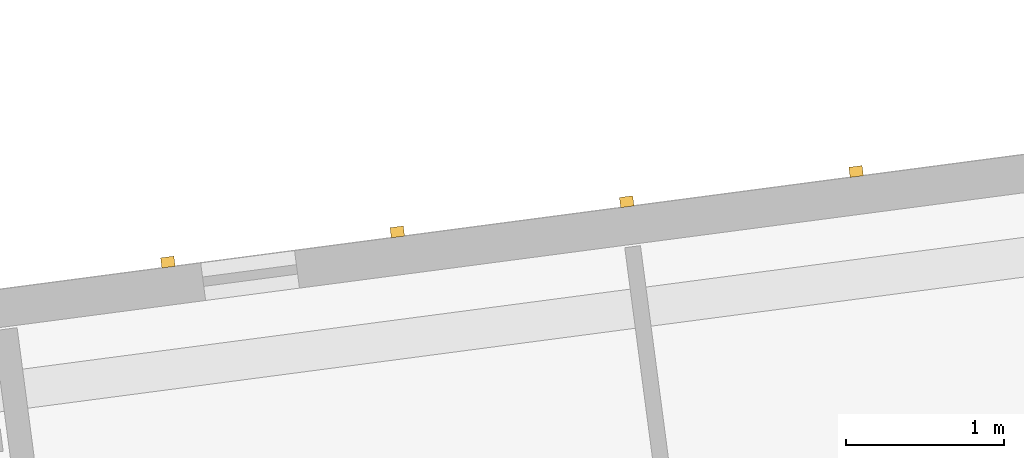
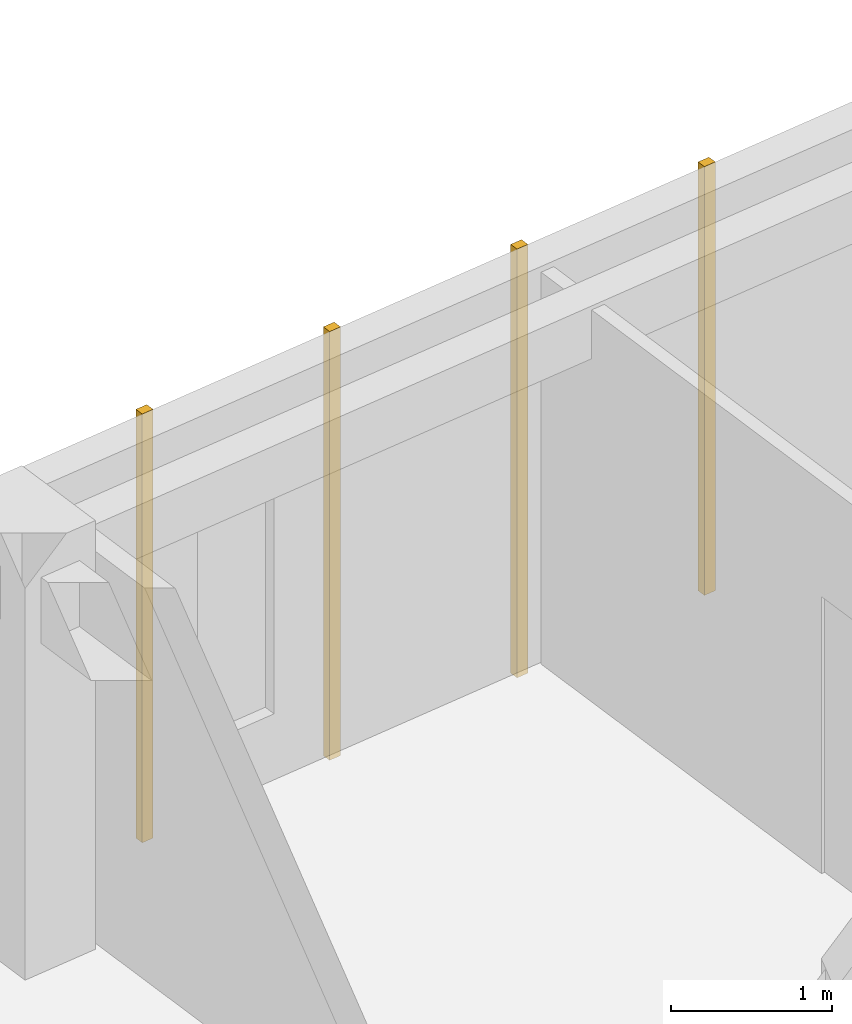
# One storey, part 47 of 66: 4 coverings.
"""IFC4 building model written with IfcOpenShell, lengths in metres."""

import ifcopenshell
import ifcopenshell.guid

model = None  # the IFC model being written
_history = None  # IfcOwnerHistory: only IFC2X3 demands one
_inside = {}  # id of a spatial element -> (the spatial element, [elements in it])
_under = {}  # id of a project, library or spatial element -> (it, [spatial elements below it])
_declared = {}  # id of a project -> (the project, [libraries it declares])
_typed = {}  # id of a type object -> (the type object, [elements of that type])
_made_of = {}  # id of a material, layer set ... -> (it, [elements and type objects made of it])


def new_model(schema):
    """Start an empty IFC model of exactly this schema.

    Asked for "IFC4X3", IfcOpenShell would pick the latest addendum, in which some entities
    have other attributes; the version numbers below select the first issue.
    IFC2X3 requires an IfcOwnerHistory on every rooted entity: one is made here for all.
    """
    global model, _history
    if schema == "IFC4X3":
        model = ifcopenshell.file(schema_version=(4, 3, 0, 0))
    else:
        model = ifcopenshell.file(schema=schema)
    _inside.clear()
    _under.clear()
    _declared.clear()
    _typed.clear()
    _made_of.clear()
    _history = None
    if model.schema == "IFC2X3":
        org = make("IfcOrganization", Name="unknown")
        user = make(
            "IfcPersonAndOrganization",
            ThePerson=make("IfcPerson", FamilyName="unknown"),
            TheOrganization=org,
        )
        app = make(
            "IfcApplication",
            ApplicationDeveloper=org,
            Version="unknown",
            ApplicationFullName="unknown",
            ApplicationIdentifier="unknown",
        )
        _history = make(
            "IfcOwnerHistory",
            OwningUser=user,
            OwningApplication=app,
            ChangeAction="ADDED",
            CreationDate=0,
        )
    return model


def make(cls, **values):
    """One entity of the class cls with the attributes given. An attribute that is None is left unset."""
    return model.create_entity(
        cls, **{name: value for name, value in values.items() if value is not None}
    )


def rooted(cls, **values):
    """An entity with a GlobalId (a new one), such as an element, a storey or a relation."""
    return make(cls, GlobalId=ifcopenshell.guid.new(), OwnerHistory=_history, **values)


def si_unit(unit_type, name, prefix=None):
    """IfcSIUnit, for example si_unit("LENGTHUNIT", "METRE", prefix="MILLI")."""
    return make("IfcSIUnit", UnitType=unit_type, Prefix=prefix, Name=name)


def assignment(units):
    """IfcUnitAssignment: the units of a project."""
    return None if units is None else make("IfcUnitAssignment", Units=units)


def point(xyz):
    """IfcCartesianPoint."""
    return None if xyz is None else make("IfcCartesianPoint", Coordinates=xyz)


def direction(xyz):
    """IfcDirection."""
    return None if xyz is None else make("IfcDirection", DirectionRatios=xyz)


def frame(location, z_axis=None, x_axis=None):
    """IfcAxis2Placement3D, a coordinate frame: its origin and axes. An axis left out is left unset."""
    return make(
        "IfcAxis2Placement3D",
        Location=point(location),
        Axis=direction(z_axis),
        RefDirection=direction(x_axis),
    )


def frame_2d(location, x_axis=None):
    """IfcAxis2Placement2D, a coordinate frame in the plane: its origin and x axis."""
    return make(
        "IfcAxis2Placement2D", Location=point(location), RefDirection=direction(x_axis)
    )


def origin():
    """The frame at (0, 0, 0) with its axes left unset."""
    return frame((0.0, 0.0, 0.0))


def origin_2d():
    """The frame at (0, 0) in the plane with its x axis left unset."""
    return frame_2d((0.0, 0.0))


def place(relative_to, where):
    """IfcLocalPlacement: puts the frame where relative to a parent placement (None: the world)."""
    return make(
        "IfcLocalPlacement", PlacementRelTo=relative_to, RelativePlacement=where
    )


def context(
    kind, dimensions, precision=None, world=None, true_north=None, identifier=None
):
    """IfcGeometricRepresentationContext, for example the 3D "Model" context."""
    return make(
        "IfcGeometricRepresentationContext",
        ContextIdentifier=identifier,
        ContextType=kind,
        CoordinateSpaceDimension=dimensions,
        Precision=precision,
        WorldCoordinateSystem=world,
        TrueNorth=true_north,
    )


def subcontext(parent, identifier, kind, view, scale=None):
    """IfcGeometricRepresentationSubContext, for example "Body" below "Model"."""
    return make(
        "IfcGeometricRepresentationSubContext",
        ContextIdentifier=identifier,
        ContextType=kind,
        ParentContext=parent,
        TargetScale=scale,
        TargetView=view,
    )


def project(units=None, contexts=None):
    """IfcProject with its units and contexts."""
    return rooted(
        "IfcProject",
        Name="project",
        RepresentationContexts=contexts,
        UnitsInContext=assignment(units),
    )


def spatial(cls, under=None, at=None, **own):
    """A site, building, storey or space (cls), placed at a placement, below another one or the project."""
    s = rooted(cls, ObjectPlacement=at, **own)
    if under is not None:
        _under.setdefault(under.id(), (under, []))[1].append(s)
    return s


def profile(cls, at=None, kind="AREA", **sizes):
    """A parametric profile (cls). Its sizes go by their IFC names, for example OverallWidth=200.0."""
    return make(cls, ProfileType=kind, Position=at, **sizes)


def rectangle(**sizes):
    """IfcRectangleProfileDef."""
    return profile("IfcRectangleProfileDef", **sizes)


def extrude(swept, where, along, depth):
    """IfcExtrudedAreaSolid: the profile swept, set in the frame where, extruded along a direction by depth."""
    return make(
        "IfcExtrudedAreaSolid",
        SweptArea=swept,
        Position=where,
        ExtrudedDirection=direction(along),
        Depth=depth,
    )


def shape(context_of_items, identifier, shape_type, items):
    """IfcShapeRepresentation: the items that make up one representation, for example the "Body"."""
    return make(
        "IfcShapeRepresentation",
        ContextOfItems=context_of_items,
        RepresentationIdentifier=identifier,
        RepresentationType=shape_type,
        Items=items,
    )


def material(Name=None, Category=None):
    """IfcMaterial."""
    return make("IfcMaterial", Name=Name, Category=Category)


def layer(
    of_material, thickness, ventilated=None, Name=None, Category=None, Priority=None
):
    """IfcMaterialLayer: one layer of a wall or slab, of a material (None: an air gap)."""
    return make(
        "IfcMaterialLayer",
        Material=of_material,
        LayerThickness=thickness,
        IsVentilated=ventilated,
        Name=Name,
        Category=Category,
        Priority=Priority,
    )


def layer_set(layers, Name=None):
    """IfcMaterialLayerSet."""
    return make("IfcMaterialLayerSet", MaterialLayers=layers, LayerSetName=Name)


def made_of(thing, what):
    """Note that an element or type object is made of a material, layer set ...; save() writes the relation."""
    if what is not None:
        _made_of.setdefault(what.id(), (what, []))[1].append(thing)
    return thing


def type_object(cls, material=None, **own):
    """A type object (cls), such as IfcWallType, which elements share."""
    return made_of(rooted(cls, **own), material)


def element(
    cls,
    number,
    at=None,
    inside=None,
    cuts=None,
    type_object=None,
    material=None,
    context=None,
    identifier="Body",
    shape_type=None,
    held_by="IfcProductDefinitionShape",
    body=None,
    shapes=None,
    **own,
):
    """One element of the class cls, such as IfcWall. Its Tag is "e" and its number.

    at: its placement. inside: the storey or other place that contains it. cuts: it is an
    opening in that element (IfcRelVoidsElement). A single representation is given by context,
    identifier, shape_type and body (its items); several are given by shapes. held_by: the class
    of the entity that holds the representations. save() writes the other relations.
    """
    e = rooted(cls, Tag="e%d" % number, ObjectPlacement=at, **own)
    if body is not None:
        shapes = [shape(context, identifier, shape_type, body)]
    if shapes is not None:
        e.Representation = make(held_by, Representations=shapes)
    if inside is not None:
        _inside.setdefault(inside.id(), (inside, []))[1].append(e)
    if cuts is not None:
        rooted(
            "IfcRelVoidsElement", RelatingBuildingElement=cuts, RelatedOpeningElement=e
        )
    if type_object is not None:
        _typed.setdefault(type_object.id(), (type_object, []))[1].append(e)
    return made_of(e, material)


def aggregate(whole, parts):
    """IfcRelAggregates: a whole, such as a stair, and the parts it consists of."""
    return rooted("IfcRelAggregates", RelatingObject=whole, RelatedObjects=parts)


def save(model, path):
    """Write the relations noted so far, then the file.

    IfcRelAggregates (storeys below a building ...), IfcRelContainedInSpatialStructure (elements
    in a storey), IfcRelDefinesByType, IfcRelAssociatesMaterial and IfcRelDeclares: one each for
    every whole, place, type object, material and project.
    """
    for whole, parts in _under.values():
        aggregate(whole, parts)
    for where, things in _inside.values():
        rooted(
            "IfcRelContainedInSpatialStructure",
            RelatedElements=things,
            RelatingStructure=where,
        )
    for kind, things in _typed.values():
        rooted("IfcRelDefinesByType", RelatedObjects=things, RelatingType=kind)
    for what, things in _made_of.values():
        rooted("IfcRelAssociatesMaterial", RelatedObjects=things, RelatingMaterial=what)
    for by, libraries in _declared.values():
        rooted("IfcRelDeclares", RelatingContext=by, RelatedDefinitions=libraries)
    model.write(path)


model = new_model("IFC4")

# Units and contexts
model_context = context("Model", 3, precision=1e-05, world=origin(), true_north=direction((0.0, 1.0)))
body_context = subcontext(model_context, "Body", "Model", "MODEL_VIEW")
ifc_project = project(units=[si_unit("LENGTHUNIT", "METRE"), si_unit("AREAUNIT", "SQUARE_METRE"), si_unit("VOLUMEUNIT", "CUBIC_METRE"), si_unit("PLANEANGLEUNIT", "RADIAN"), si_unit("MASSUNIT", "GRAM", prefix="KILO")], contexts=[model_context])

# Site, building, storey
site_placement = place(None, origin())
site = spatial("IfcSite", under=ifc_project, at=site_placement, CompositionType="ELEMENT")
building_placement = place(site_placement, origin())
building = spatial("IfcBuilding", under=site, at=building_placement, Name="Kestramere Prow Commons", CompositionType="ELEMENT")
storey_placement = place(building_placement, frame((0.0, 0.0, 14.89990234375)))
storey = spatial("IfcBuildingStorey", under=building, at=storey_placement, Name="L04", CompositionType="ELEMENT", Elevation=14.89990234375)

# Coverings
ifc_material = material(Name="Weathered Zinc-Titanium Standing-Seam Cladding")
ifc_layer = layer(ifc_material, 0.074951171875)
ifc_layer_set = layer_set([ifc_layer], Name="Weathered Zinc-Titanium Standing-Seam Cladding")
covering_type = type_object("IfcCoveringType", Name="COV-CLAD-SEAM", PredefinedType="CLADDING", material=ifc_layer_set)
for number, where, z_axis, x_axis, name in (
    (1, (36.12939453125, 96.137939453125, -0.25), (0.0, 0.0, 1.0), (0.991444861374, 0.13052619222, 0.0), "EW-A-L04-N-3 Standing-Seam Rib 1"),
    (2, (37.58349609375, 96.329345703125, -0.25), (0.0, 0.0, 1.0), (0.991444861374, 0.13052619222, 0.0), "EW-A-L04-N-3 Standing-Seam Rib 2"),
    (3, (39.03759765625, 96.520751953125, -0.25), (0.0, 0.0, 1.0), (0.991444861374, 0.13052619222, 0.0), "EW-A-L04-N-3 Standing-Seam Rib 3"),
    (4, (40.49169921875, 96.712158203125, -0.25), (0.0, 0.0, 1.0), (0.991444861374, 0.13052619222, 0.0), "EW-A-L04-N-3 Standing-Seam Rib 4"),
):
    element("IfcCovering", number, at=place(storey_placement, frame(where, z_axis=z_axis, x_axis=x_axis)), inside=storey, type_object=covering_type, Name=name, PredefinedType="CLADDING", context=body_context, shape_type="SweptSolid", body=[
        extrude(rectangle(XDim=0.0849609375, YDim=0.06494140625, at=origin_2d()), origin(), (0.0, 0.0, 1.0), 3.25),
    ])

save(model, "model.ifc")
